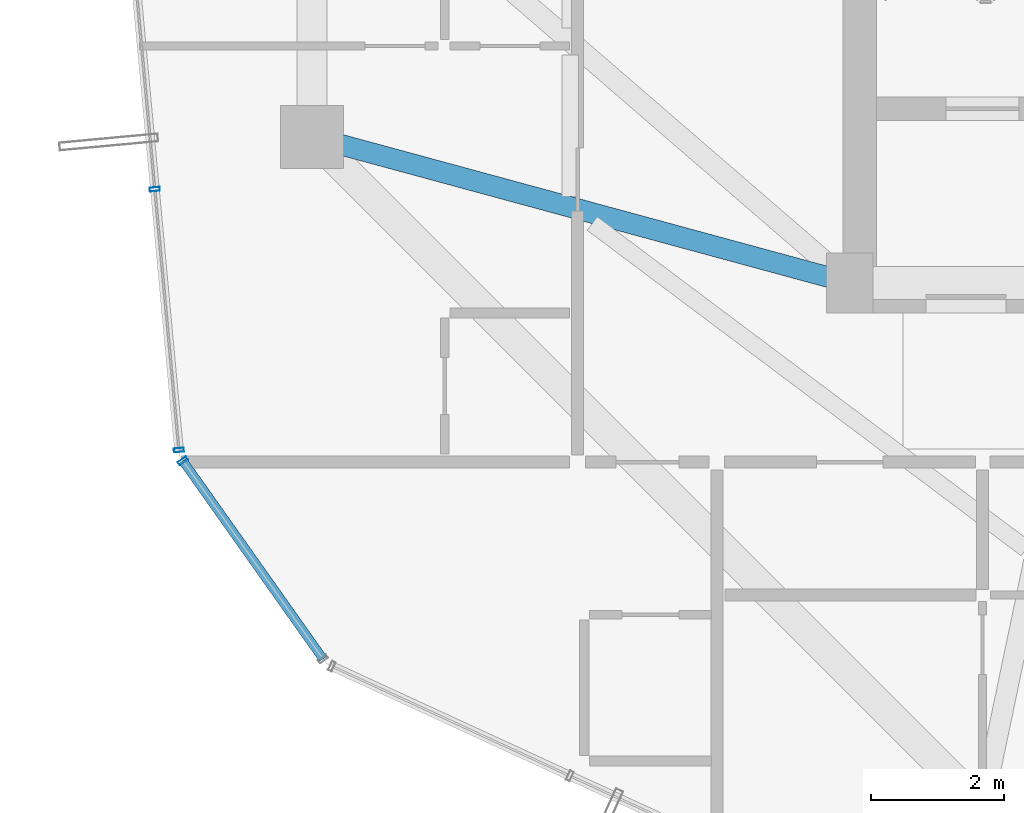
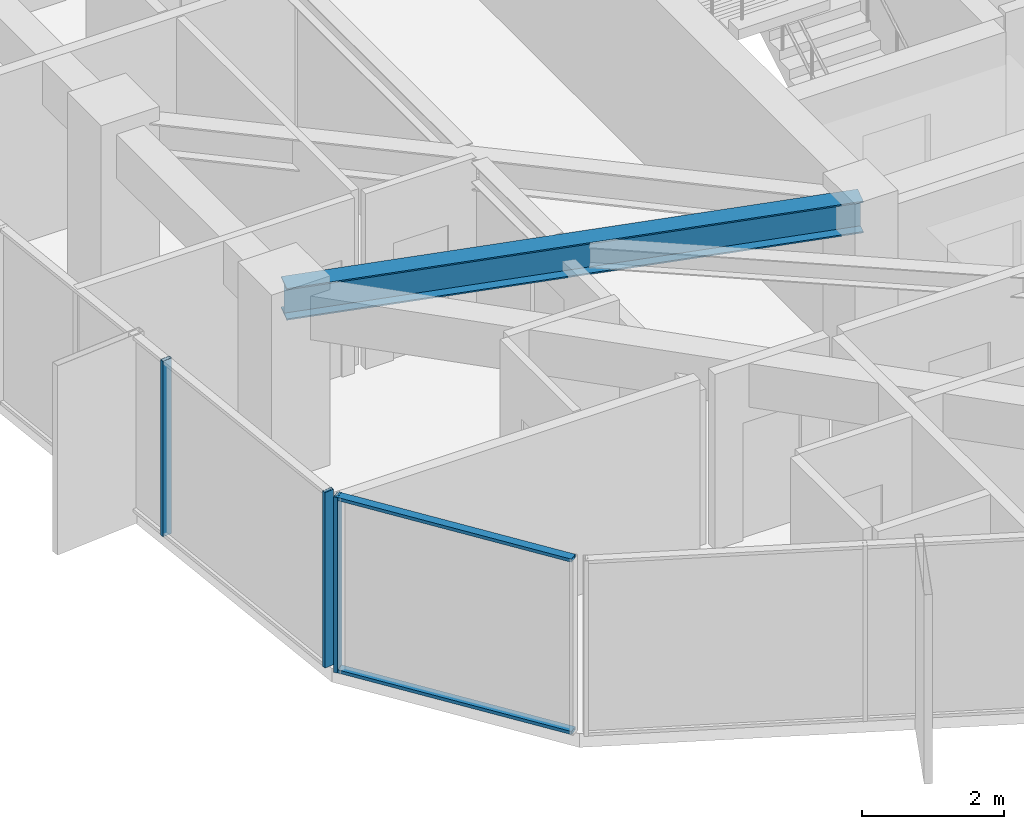
# One storey, part 5 of 32: 5 members, 1 beam, 2 elements without a shape of their own.
"""IFC4 building model written with IfcOpenShell, lengths in metres."""

from ifc_helpers import new_model, si_unit, direction, frame, origin, origin_2d, place, context, subcontext, project, spatial, hollow_rectangle, i_section, extrude, source, transform, mapped, material, layer, layer_set, material_profile, profile_set, type_object, element, aggregate, save


model = new_model("IFC4")

# Units and contexts
model_context = context("Model", 3, precision=1e-05, world=origin(), true_north=direction((0.0, 1.0)))
body_context = subcontext(model_context, "Body", "Model", "MODEL_VIEW")
ifc_project = project(units=[si_unit("LENGTHUNIT", "METRE"), si_unit("AREAUNIT", "SQUARE_METRE"), si_unit("VOLUMEUNIT", "CUBIC_METRE"), si_unit("PLANEANGLEUNIT", "RADIAN"), si_unit("MASSUNIT", "GRAM", prefix="KILO")], contexts=[model_context])

# Site, building, storey
site_placement = place(None, origin())
site = spatial("IfcSite", under=ifc_project, at=site_placement, CompositionType="ELEMENT")
building_placement = place(site_placement, origin())
building = spatial("IfcBuilding", under=site, at=building_placement, Name="Veraguas Prism Commons", CompositionType="ELEMENT")
storey_placement = place(building_placement, frame((0.0, 0.0, 188.60009765625)))
storey = spatial("IfcBuildingStorey", under=building, at=storey_placement, Name="L53", CompositionType="ELEMENT", Elevation=188.60009765625)

# Beam
ifc_material_1 = material(Name="Steel ASTM A992 Grade 50", Category="steel")
ifc_material_profile_1 = material_profile(ifc_material_1, i_section(OverallWidth=0.31103515625, OverallDepth=0.5458984375, WebThickness=0.0146484375, FlangeThickness=0.023681640625, at=origin_2d()), Name="W530X165")
ifc_profile_set_1 = profile_set([ifc_material_profile_1], Name="Steel ASTM A992 Grade 50")
beam_type = type_object("IfcBeamType", Name="Zone 3 Radial Girder W530x165", PredefinedType="BEAM", material=ifc_profile_set_1)
beam_placement = place(storey_placement, frame((9.10009765625, 19.199951171875, 2.741943359375), z_axis=(0.965038506703, -0.262108146725, 0.0), x_axis=(0.262108146725, 0.965038506703, 0.0)))
element("IfcBeam", 1, at=beam_placement, inside=storey, type_object=beam_type, Name="Radial Floor Girder L53-RD09", PredefinedType="BEAM", context=body_context, shape_type="SweptSolid", body=[
    extrude(i_section(OverallWidth=0.31103515625, OverallDepth=0.5458984375, WebThickness=0.0146484375, FlangeThickness=0.023681640625, at=origin_2d()), origin(), (0.0, 0.0, 1.0), 8.393310546875),
])

# Curtain wall, members
ifc_material_2 = material(Name="Anodised aluminium EN AW-6063 T6", Category="aluminium")
ifc_layer = layer(ifc_material_2, 0.14990234375, Name="Unitised Flush Curtain Wall Zone 3", Category="aluminium")
ifc_layer_set = layer_set([ifc_layer], Name="Anodised aluminium EN AW-6063 T6")
curtain_wall_type = type_object("IfcCurtainWallType", Name="Unitised Flush Curtain Wall Zone 3", PredefinedType="NOTDEFINED", material=ifc_layer_set)
curtain_wall_1_placement = place(storey_placement, origin())
curtain_wall_1 = element("IfcCurtainWall", 2, at=curtain_wall_1_placement, inside=storey, type_object=curtain_wall_type, Name="Tower Facade Curtain Wall L53-F3", PredefinedType="NOTDEFINED")
ifc_material_profile_2 = material_profile(ifc_material_2, hollow_rectangle(XDim=0.06005859375, YDim=0.14990234375, WallThickness=0.0029296875, at=origin_2d()), Name="AL60X150X3")
ifc_profile_set_2 = profile_set([ifc_material_profile_2], Name="Anodised aluminium EN AW-6063 T6")
member_type_1 = type_object("IfcMemberType", Name="Curtain Wall Mullion Upper AL 60x150x3", PredefinedType="MULLION", material=ifc_profile_set_2)
shared_shape_1 = source(origin(), body_context, "Body", "SweptSolid", [
    extrude(hollow_rectangle(XDim=0.06005859375, YDim=0.14990234375, WallThickness=0.0029296875, at=origin_2d()), origin(), (0.0, 0.0, 1.0), 3.014892578125),
])
member_1_placement = place(storey_placement, frame((6.730712890625, 18.411376953125, 0.0), z_axis=(0.0, 0.0, 1.0), x_axis=(0.092023008338, -0.995756880939, 0.0)))
member_1 = element("IfcMember", 3, at=member_1_placement, type_object=member_type_1, Name="CW-Z3 Mullion 4", PredefinedType="MULLION", context=body_context, shape_type="MappedRepresentation", body=[
    mapped(shared_shape_1, transform((0.0, 0.0, 0.0), scale=1.0)),
])
member_2_placement = place(storey_placement, frame((7.09375, 14.482666015625, 0.0), z_axis=(0.0, 0.0, 1.0), x_axis=(0.092023008338, -0.995756880939, 0.0)))
member_2 = element("IfcMember", 4, at=member_2_placement, type_object=member_type_1, Name="CW-Z3 Mullion 5", PredefinedType="MULLION", context=body_context, shape_type="MappedRepresentation", body=[
    mapped(shared_shape_1, transform((0.0, 0.0, 0.0), scale=1.0)),
])
aggregate(curtain_wall_1, [member_1, member_2])

curtain_wall_2_placement = place(storey_placement, origin())
curtain_wall_2 = element("IfcCurtainWall", 5, at=curtain_wall_2_placement, inside=storey, type_object=curtain_wall_type, Name="Chamfer Curtain Wall L53-C4", PredefinedType="NOTDEFINED")
member_3_placement = place(storey_placement, frame((7.154052734375, 14.319580078125, 0.0), z_axis=(0.0, 0.0, 1.0), x_axis=(0.577579827304, -0.816334210413, 0.0)))
member_3 = element("IfcMember", 6, at=member_3_placement, type_object=member_type_1, Name="CW-Z3 Mullion 1", PredefinedType="MULLION", context=body_context, shape_type="MappedRepresentation", body=[
    mapped(shared_shape_1, transform((0.0, 0.0, 0.0), scale=1.0)),
])
ifc_material_profile_3 = material_profile(ifc_material_2, hollow_rectangle(XDim=0.054931640625, YDim=0.135009765625, WallThickness=0.0029296875, at=origin_2d()), Name="AL55X135X3")
ifc_profile_set_3 = profile_set([ifc_material_profile_3], Name="Anodised aluminium EN AW-6063 T6")
member_type_2 = type_object("IfcMemberType", Name="Curtain Wall Transom Standard AL 55x135x3", PredefinedType="USERDEFINED", material=ifc_profile_set_3)
shared_shape_2 = source(origin(), body_context, "Body", "SweptSolid", [
    extrude(hollow_rectangle(XDim=0.054931640625, YDim=0.135009765625, WallThickness=0.0029296875, at=origin_2d()), origin(), (0.0, 0.0, 1.0), 3.654541015625),
])
member_4_placement = place(storey_placement, frame((7.154052734375, 14.319580078125, 0.02734375), z_axis=(0.577611331247, -0.816311919559, 0.0), x_axis=(0.0, 0.0, 1.0)))
member_4 = element("IfcMember", 7, at=member_4_placement, type_object=member_type_2, Name="CW-Z3 Transom 1", ObjectType="TRANSOM", PredefinedType="USERDEFINED", context=body_context, shape_type="MappedRepresentation", body=[
    mapped(shared_shape_2, transform((0.0, 0.0, 0.0), scale=1.0)),
])
member_5_placement = place(storey_placement, frame((7.154052734375, 14.319580078125, 2.9873046875), z_axis=(0.577611331247, -0.816311919559, 0.0), x_axis=(0.0, 0.0, 1.0)))
member_5 = element("IfcMember", 8, at=member_5_placement, type_object=member_type_2, Name="CW-Z3 Transom 2", ObjectType="TRANSOM", PredefinedType="USERDEFINED", context=body_context, shape_type="MappedRepresentation", body=[
    mapped(shared_shape_2, transform((0.0, 0.0, 0.0), scale=1.0)),
])
aggregate(curtain_wall_2, [member_3, member_4, member_5])

save(model, "model.ifc")
